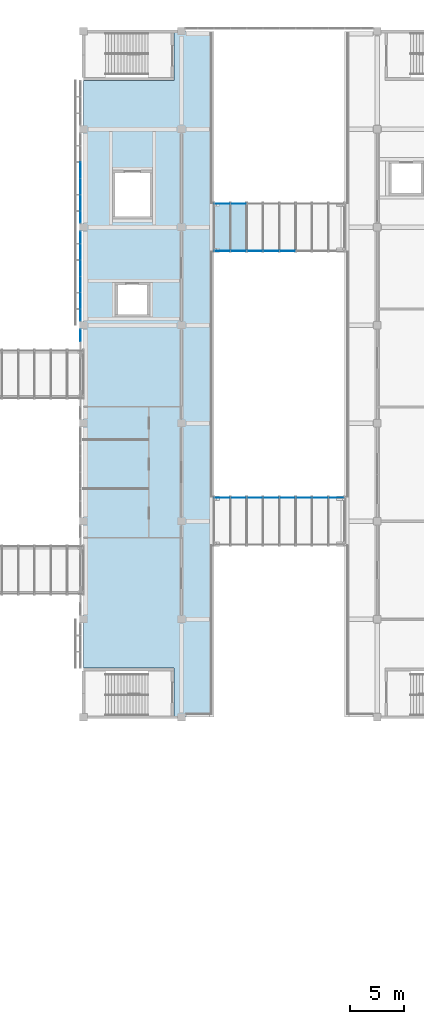
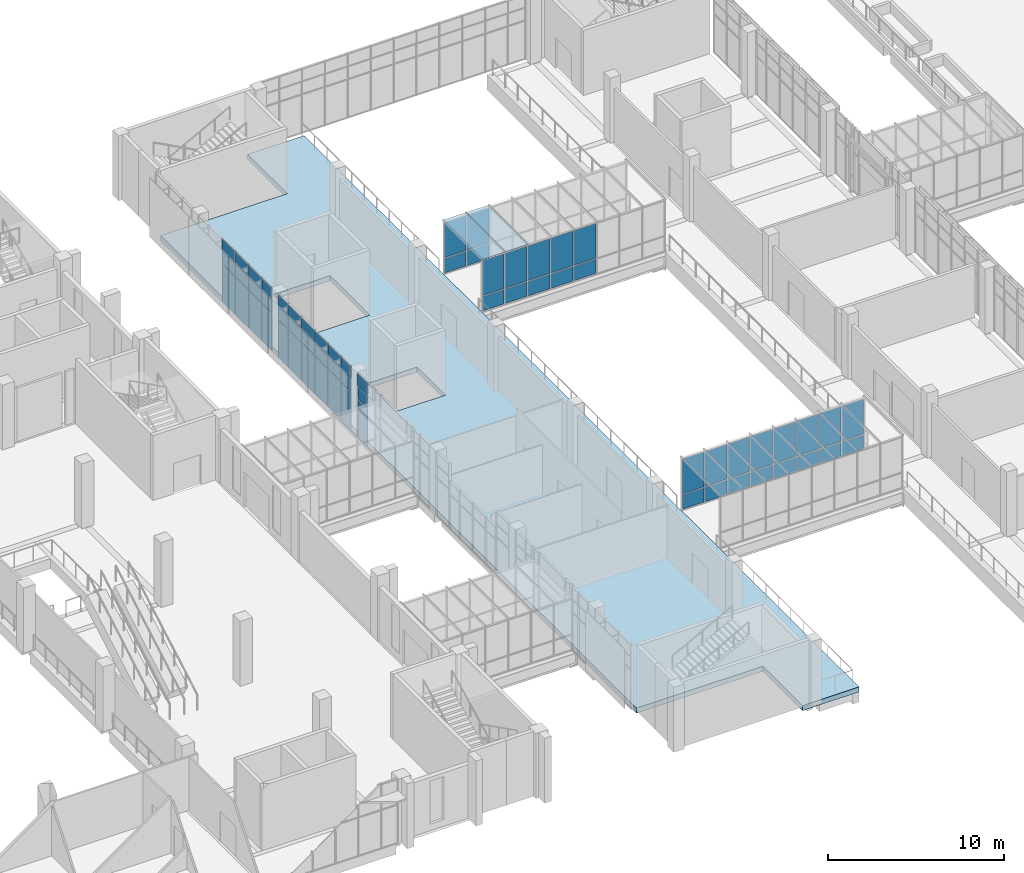
# One storey, part 57 of 106: 65 plates, 1 slab, 7 elements without a shape of their own.
"""IFC4 building model written with IfcOpenShell, lengths in metres."""

import ifcopenshell
import ifcopenshell.guid

model = None  # the IFC model being written
_history = None  # IfcOwnerHistory: only IFC2X3 demands one
_inside = {}  # id of a spatial element -> (the spatial element, [elements in it])
_under = {}  # id of a project, library or spatial element -> (it, [spatial elements below it])
_declared = {}  # id of a project -> (the project, [libraries it declares])
_typed = {}  # id of a type object -> (the type object, [elements of that type])
_made_of = {}  # id of a material, layer set ... -> (it, [elements and type objects made of it])


def new_model(schema):
    """Start an empty IFC model of exactly this schema.

    Asked for "IFC4X3", IfcOpenShell would pick the latest addendum, in which some entities
    have other attributes; the version numbers below select the first issue.
    IFC2X3 requires an IfcOwnerHistory on every rooted entity: one is made here for all.
    """
    global model, _history
    if schema == "IFC4X3":
        model = ifcopenshell.file(schema_version=(4, 3, 0, 0))
    else:
        model = ifcopenshell.file(schema=schema)
    _inside.clear()
    _under.clear()
    _declared.clear()
    _typed.clear()
    _made_of.clear()
    _history = None
    if model.schema == "IFC2X3":
        org = make("IfcOrganization", Name="unknown")
        user = make(
            "IfcPersonAndOrganization",
            ThePerson=make("IfcPerson", FamilyName="unknown"),
            TheOrganization=org,
        )
        app = make(
            "IfcApplication",
            ApplicationDeveloper=org,
            Version="unknown",
            ApplicationFullName="unknown",
            ApplicationIdentifier="unknown",
        )
        _history = make(
            "IfcOwnerHistory",
            OwningUser=user,
            OwningApplication=app,
            ChangeAction="ADDED",
            CreationDate=0,
        )
    return model


def make(cls, **values):
    """One entity of the class cls with the attributes given. An attribute that is None is left unset."""
    return model.create_entity(
        cls, **{name: value for name, value in values.items() if value is not None}
    )


def rooted(cls, **values):
    """An entity with a GlobalId (a new one), such as an element, a storey or a relation."""
    return make(cls, GlobalId=ifcopenshell.guid.new(), OwnerHistory=_history, **values)


def si_unit(unit_type, name, prefix=None):
    """IfcSIUnit, for example si_unit("LENGTHUNIT", "METRE", prefix="MILLI")."""
    return make("IfcSIUnit", UnitType=unit_type, Prefix=prefix, Name=name)


def assignment(units):
    """IfcUnitAssignment: the units of a project."""
    return None if units is None else make("IfcUnitAssignment", Units=units)


def point(xyz):
    """IfcCartesianPoint."""
    return None if xyz is None else make("IfcCartesianPoint", Coordinates=xyz)


def direction(xyz):
    """IfcDirection."""
    return None if xyz is None else make("IfcDirection", DirectionRatios=xyz)


def frame(location, z_axis=None, x_axis=None):
    """IfcAxis2Placement3D, a coordinate frame: its origin and axes. An axis left out is left unset."""
    return make(
        "IfcAxis2Placement3D",
        Location=point(location),
        Axis=direction(z_axis),
        RefDirection=direction(x_axis),
    )


def frame_2d(location, x_axis=None):
    """IfcAxis2Placement2D, a coordinate frame in the plane: its origin and x axis."""
    return make(
        "IfcAxis2Placement2D", Location=point(location), RefDirection=direction(x_axis)
    )


def origin():
    """The frame at (0, 0, 0) with its axes left unset."""
    return frame((0.0, 0.0, 0.0))


def origin_2d():
    """The frame at (0, 0) in the plane with its x axis left unset."""
    return frame_2d((0.0, 0.0))


def place(relative_to, where):
    """IfcLocalPlacement: puts the frame where relative to a parent placement (None: the world)."""
    return make(
        "IfcLocalPlacement", PlacementRelTo=relative_to, RelativePlacement=where
    )


def context(
    kind, dimensions, precision=None, world=None, true_north=None, identifier=None
):
    """IfcGeometricRepresentationContext, for example the 3D "Model" context."""
    return make(
        "IfcGeometricRepresentationContext",
        ContextIdentifier=identifier,
        ContextType=kind,
        CoordinateSpaceDimension=dimensions,
        Precision=precision,
        WorldCoordinateSystem=world,
        TrueNorth=true_north,
    )


def subcontext(parent, identifier, kind, view, scale=None):
    """IfcGeometricRepresentationSubContext, for example "Body" below "Model"."""
    return make(
        "IfcGeometricRepresentationSubContext",
        ContextIdentifier=identifier,
        ContextType=kind,
        ParentContext=parent,
        TargetScale=scale,
        TargetView=view,
    )


def project(units=None, contexts=None):
    """IfcProject with its units and contexts."""
    return rooted(
        "IfcProject",
        Name="project",
        RepresentationContexts=contexts,
        UnitsInContext=assignment(units),
    )


def spatial(cls, under=None, at=None, **own):
    """A site, building, storey or space (cls), placed at a placement, below another one or the project."""
    s = rooted(cls, ObjectPlacement=at, **own)
    if under is not None:
        _under.setdefault(under.id(), (under, []))[1].append(s)
    return s


def polyline(points):
    """IfcPolyline through the points."""
    return make("IfcPolyline", Points=[point(p) for p in points])


def profile(cls, at=None, kind="AREA", **sizes):
    """A parametric profile (cls). Its sizes go by their IFC names, for example OverallWidth=200.0."""
    return make(cls, ProfileType=kind, Position=at, **sizes)


def rectangle(**sizes):
    """IfcRectangleProfileDef."""
    return profile("IfcRectangleProfileDef", **sizes)


def outline(outer, holes=None, kind="AREA"):
    """IfcArbitraryClosedProfileDef: a profile drawn as a closed curve; with holes, ...WithVoids."""
    if holes is None:
        return make("IfcArbitraryClosedProfileDef", ProfileType=kind, OuterCurve=outer)
    return make(
        "IfcArbitraryProfileDefWithVoids",
        ProfileType=kind,
        OuterCurve=outer,
        InnerCurves=holes,
    )


def extrude(swept, where, along, depth):
    """IfcExtrudedAreaSolid: the profile swept, set in the frame where, extruded along a direction by depth."""
    return make(
        "IfcExtrudedAreaSolid",
        SweptArea=swept,
        Position=where,
        ExtrudedDirection=direction(along),
        Depth=depth,
    )


def shape(context_of_items, identifier, shape_type, items):
    """IfcShapeRepresentation: the items that make up one representation, for example the "Body"."""
    return make(
        "IfcShapeRepresentation",
        ContextOfItems=context_of_items,
        RepresentationIdentifier=identifier,
        RepresentationType=shape_type,
        Items=items,
    )


def material(Name=None, Category=None):
    """IfcMaterial."""
    return make("IfcMaterial", Name=Name, Category=Category)


def layer(
    of_material, thickness, ventilated=None, Name=None, Category=None, Priority=None
):
    """IfcMaterialLayer: one layer of a wall or slab, of a material (None: an air gap)."""
    return make(
        "IfcMaterialLayer",
        Material=of_material,
        LayerThickness=thickness,
        IsVentilated=ventilated,
        Name=Name,
        Category=Category,
        Priority=Priority,
    )


def layer_set(layers, Name=None):
    """IfcMaterialLayerSet."""
    return make("IfcMaterialLayerSet", MaterialLayers=layers, LayerSetName=Name)


def made_of(thing, what):
    """Note that an element or type object is made of a material, layer set ...; save() writes the relation."""
    if what is not None:
        _made_of.setdefault(what.id(), (what, []))[1].append(thing)
    return thing


def type_object(cls, material=None, **own):
    """A type object (cls), such as IfcWallType, which elements share."""
    return made_of(rooted(cls, **own), material)


def element(
    cls,
    number,
    at=None,
    inside=None,
    cuts=None,
    type_object=None,
    material=None,
    context=None,
    identifier="Body",
    shape_type=None,
    held_by="IfcProductDefinitionShape",
    body=None,
    shapes=None,
    **own,
):
    """One element of the class cls, such as IfcWall. Its Tag is "e" and its number.

    at: its placement. inside: the storey or other place that contains it. cuts: it is an
    opening in that element (IfcRelVoidsElement). A single representation is given by context,
    identifier, shape_type and body (its items); several are given by shapes. held_by: the class
    of the entity that holds the representations. save() writes the other relations.
    """
    e = rooted(cls, Tag="e%d" % number, ObjectPlacement=at, **own)
    if body is not None:
        shapes = [shape(context, identifier, shape_type, body)]
    if shapes is not None:
        e.Representation = make(held_by, Representations=shapes)
    if inside is not None:
        _inside.setdefault(inside.id(), (inside, []))[1].append(e)
    if cuts is not None:
        rooted(
            "IfcRelVoidsElement", RelatingBuildingElement=cuts, RelatedOpeningElement=e
        )
    if type_object is not None:
        _typed.setdefault(type_object.id(), (type_object, []))[1].append(e)
    return made_of(e, material)


def aggregate(whole, parts):
    """IfcRelAggregates: a whole, such as a stair, and the parts it consists of."""
    return rooted("IfcRelAggregates", RelatingObject=whole, RelatedObjects=parts)


def save(model, path):
    """Write the relations noted so far, then the file.

    IfcRelAggregates (storeys below a building ...), IfcRelContainedInSpatialStructure (elements
    in a storey), IfcRelDefinesByType, IfcRelAssociatesMaterial and IfcRelDeclares: one each for
    every whole, place, type object, material and project.
    """
    for whole, parts in _under.values():
        aggregate(whole, parts)
    for where, things in _inside.values():
        rooted(
            "IfcRelContainedInSpatialStructure",
            RelatedElements=things,
            RelatingStructure=where,
        )
    for kind, things in _typed.values():
        rooted("IfcRelDefinesByType", RelatedObjects=things, RelatingType=kind)
    for what, things in _made_of.values():
        rooted("IfcRelAssociatesMaterial", RelatedObjects=things, RelatingMaterial=what)
    for by, libraries in _declared.values():
        rooted("IfcRelDeclares", RelatingContext=by, RelatedDefinitions=libraries)
    model.write(path)


model = new_model("IFC4")

# Units and contexts
model_context = context("Model", 3, precision=1e-05, world=origin(), true_north=direction((0.0, 1.0)))
body_context = subcontext(model_context, "Body", "Model", "MODEL_VIEW")
ifc_project = project(units=[si_unit("LENGTHUNIT", "METRE"), si_unit("AREAUNIT", "SQUARE_METRE"), si_unit("VOLUMEUNIT", "CUBIC_METRE"), si_unit("PLANEANGLEUNIT", "RADIAN"), si_unit("MASSUNIT", "GRAM", prefix="KILO")], contexts=[model_context])

# Site, building, storey
site_placement = place(None, origin())
site = spatial("IfcSite", under=ifc_project, at=site_placement, CompositionType="ELEMENT")
building_placement = place(site_placement, origin())
building = spatial("IfcBuilding", under=site, at=building_placement, Name="Guidao Yard Department Store", CompositionType="ELEMENT")
storey_placement = place(building_placement, frame((0.0, 0.0, 10.5)))
storey = spatial("IfcBuildingStorey", under=building, at=storey_placement, Name="L02", CompositionType="ELEMENT", Elevation=10.5)

# Curtain wall, plates
ifc_material_1 = material(Name="Aluminium and glass", Category="aluminium")
ifc_layer_1 = layer(ifc_material_1, 0.159912109375)
ifc_layer_set_1 = layer_set([ifc_layer_1], Name="Bridge glazing CW5 1500 module")
curtain_wall_type_1 = type_object("IfcCurtainWallType", Name="Bridge glazing CW5 1500 module", PredefinedType="NOTDEFINED", material=ifc_layer_set_1)
curtain_wall_1_placement = place(storey_placement, origin())
curtain_wall_1 = element("IfcCurtainWall", 1, at=curtain_wall_1_placement, inside=storey, type_object=curtain_wall_type_1, Name="Bridge roof glazing BR12", PredefinedType="NOTDEFINED")
ifc_material_2 = material(Name="Laminated glass", Category="glass")
ifc_layer_2 = layer(ifc_material_2, 0.017578125)
ifc_layer_set_2 = layer_set([ifc_layer_2], Name="Bridge roof glass BG1 laminated 8+8 fritted")
plate_type_1 = type_object("IfcPlateType", Name="Bridge roof glass BG1 laminated 8+8 fritted", PredefinedType="CURTAIN_PANEL", material=ifc_layer_set_2)
plate_1_placement = place(storey_placement, frame((84.75, 90.0, 3.671142578125), z_axis=(0.0, 0.0, 1.0), x_axis=(1.0, 0.0, 0.0)))
plate_1 = element("IfcPlate", 2, at=plate_1_placement, type_object=plate_type_1, Name="Bridge roof glass BR12", PredefinedType="CURTAIN_PANEL", context=body_context, shape_type="SweptSolid", body=[
    extrude(rectangle(XDim=1.43994140625, YDim=4.5, at=origin_2d()), origin(), (0.0, 0.0, 1.0), 0.017578125),
])
plate_2_placement = place(storey_placement, frame((86.25, 90.0, 3.671142578125), z_axis=(0.0, 0.0, 1.0), x_axis=(1.0, 0.0, 0.0)))
plate_2 = element("IfcPlate", 3, at=plate_2_placement, type_object=plate_type_1, Name="Bridge roof glass BR12", PredefinedType="CURTAIN_PANEL", context=body_context, shape_type="SweptSolid", body=[
    extrude(rectangle(XDim=1.43994140625, YDim=4.5, at=origin_2d()), origin(), (0.0, 0.0, 1.0), 0.017578125),
])
aggregate(curtain_wall_1, [plate_1, plate_2])

# Slab
ifc_material_3 = material(Name="Concrete C35", Category="concrete")
ifc_layer_3 = layer(ifc_material_3, 0.35009765625)
ifc_layer_set_3 = layer_set([ifc_layer_3], Name="Gallery floor slab 350 C35")
slab_type = type_object("IfcSlabType", Name="Gallery floor slab 350 C35", PredefinedType="FLOOR", material=ifc_layer_set_3)
slab_placement = place(storey_placement, frame((0.0, 0.0, -0.35009765625)))
element("IfcSlab", 4, at=slab_placement, inside=storey, type_object=slab_type, Name="Slab L02-W", PredefinedType="FLOOR", context=body_context, shape_type="SweptSolid", body=[
    extrude(outline(polyline([(80.300048828125, 103.5), (80.300048828125, 108.0), (81.0, 108.0), (84.0, 108.0), (84.0, 92.25), (84.0, 87.75), (84.0, 65.25), (84.0, 60.75), (84.0, 45.0), (81.0, 45.0), (80.300048828125, 45.0), (80.300048828125, 49.5), (72.0, 49.5), (72.0, 103.5), (80.300048828125, 103.5)]), holes=[polyline([(78.10009765625, 81.75), (78.10009765625, 84.949951171875), (74.89990234375, 84.949951171875), (74.89990234375, 81.75), (78.10009765625, 81.75)]), polyline([(74.64990234375, 90.75), (78.35009765625, 90.75), (78.35009765625, 95.25), (74.64990234375, 95.25), (74.64990234375, 90.75)])]), origin(), (0.0, 0.0, 1.0), 0.35009765625),
])

# Curtain wall, plate
ifc_material_4 = material(Name="Aluminium and glass", Category="aluminium")
ifc_layer_4 = layer(ifc_material_4, 0.159912109375)
ifc_layer_set_4 = layer_set([ifc_layer_4], Name="Shopfront curtain wall CW1 1500 module")
curtain_wall_type_2 = type_object("IfcCurtainWallType", Name="Shopfront curtain wall CW1 1500 module", PredefinedType="NOTDEFINED", material=ifc_layer_set_4)
curtain_wall_2_placement = place(storey_placement, origin())
curtain_wall_2 = element("IfcCurtainWall", 5, at=curtain_wall_2_placement, inside=storey, type_object=curtain_wall_type_2, Name="Arcade shop front", PredefinedType="NOTDEFINED")
ifc_material_5 = material(Name="Aluminium 6063-T5 faced insulated spandrel", Category="aluminium")
ifc_layer_5 = layer(ifc_material_5, 0.06005859375)
ifc_layer_set_5 = layer_set([ifc_layer_5], Name="Spandrel panel SP1 insulated opaque")
plate_type_2 = type_object("IfcPlateType", Name="Spandrel panel SP1 insulated opaque", PredefinedType="CURTAIN_PANEL", material=ifc_layer_set_5)
plate_3_placement = place(storey_placement, frame((71.719970703125, 80.06005859375, 3.6298828125), z_axis=(0.0, 0.0, 1.0), x_axis=(0.0, 1.0, 0.0)))
plate_3 = element("IfcPlate", 6, at=plate_3_placement, type_object=plate_type_2, Name="CW-AS-L02-10 panel 2.3", PredefinedType="CURTAIN_PANEL", context=body_context, shape_type="SweptSolid", body=[
    extrude(rectangle(XDim=1.06005859375, YDim=0.06005859375, at=origin_2d()), origin(), (0.0, 0.0, 1.0), 0.81005859375),
])

# Curtain wall, plates
curtain_wall_3_placement = place(storey_placement, origin())
curtain_wall_3 = element("IfcCurtainWall", 7, at=curtain_wall_3_placement, inside=storey, type_object=curtain_wall_type_2, Name="Arcade shop front", PredefinedType="NOTDEFINED")
plate_4_placement = place(storey_placement, frame((71.719970703125, 81.93994140625, 3.6298828125), z_axis=(0.0, 0.0, 1.0), x_axis=(0.0, 1.0, 0.0)))
plate_4 = element("IfcPlate", 8, at=plate_4_placement, type_object=plate_type_2, Name="CW-AS-L02-11 panel 1.3", PredefinedType="CURTAIN_PANEL", context=body_context, shape_type="SweptSolid", body=[
    extrude(rectangle(XDim=1.06005859375, YDim=0.06005859375, at=origin_2d()), origin(), (0.0, 0.0, 1.0), 0.81005859375),
])
plate_5_placement = place(storey_placement, frame((71.719970703125, 83.25, 3.6298828125), z_axis=(0.0, 0.0, 1.0), x_axis=(0.0, 1.0, 0.0)))
plate_5 = element("IfcPlate", 9, at=plate_5_placement, type_object=plate_type_2, Name="CW-AS-L02-11 panel 2.3", PredefinedType="CURTAIN_PANEL", context=body_context, shape_type="SweptSolid", body=[
    extrude(rectangle(XDim=1.43994140625, YDim=0.06005859375, at=origin_2d()), origin(), (0.0, 0.0, 1.0), 0.81005859375),
])
plate_6_placement = place(storey_placement, frame((71.719970703125, 84.75, 3.6298828125), z_axis=(0.0, 0.0, 1.0), x_axis=(0.0, 1.0, 0.0)))
plate_6 = element("IfcPlate", 10, at=plate_6_placement, type_object=plate_type_2, Name="CW-AS-L02-11 panel 3.3", PredefinedType="CURTAIN_PANEL", context=body_context, shape_type="SweptSolid", body=[
    extrude(rectangle(XDim=1.43994140625, YDim=0.06005859375, at=origin_2d()), origin(), (0.0, 0.0, 1.0), 0.81005859375),
])
plate_7_placement = place(storey_placement, frame((71.719970703125, 86.25, 3.6298828125), z_axis=(0.0, 0.0, 1.0), x_axis=(0.0, 1.0, 0.0)))
plate_7 = element("IfcPlate", 11, at=plate_7_placement, type_object=plate_type_2, Name="CW-AS-L02-11 panel 4.3", PredefinedType="CURTAIN_PANEL", context=body_context, shape_type="SweptSolid", body=[
    extrude(rectangle(XDim=1.43994140625, YDim=0.06005859375, at=origin_2d()), origin(), (0.0, 0.0, 1.0), 0.81005859375),
])
plate_8_placement = place(storey_placement, frame((71.719970703125, 87.75, 3.6298828125), z_axis=(0.0, 0.0, 1.0), x_axis=(0.0, 1.0, 0.0)))
plate_8 = element("IfcPlate", 12, at=plate_8_placement, type_object=plate_type_2, Name="CW-AS-L02-11 panel 5.3", PredefinedType="CURTAIN_PANEL", context=body_context, shape_type="SweptSolid", body=[
    extrude(rectangle(XDim=1.43994140625, YDim=0.06005859375, at=origin_2d()), origin(), (0.0, 0.0, 1.0), 0.81005859375),
])
plate_9_placement = place(storey_placement, frame((71.719970703125, 89.06005859375, 3.6298828125), z_axis=(0.0, 0.0, 1.0), x_axis=(0.0, 1.0, 0.0)))
plate_9 = element("IfcPlate", 13, at=plate_9_placement, type_object=plate_type_2, Name="CW-AS-L02-11 panel 6.3", PredefinedType="CURTAIN_PANEL", context=body_context, shape_type="SweptSolid", body=[
    extrude(rectangle(XDim=1.06005859375, YDim=0.06005859375, at=origin_2d()), origin(), (0.0, 0.0, 1.0), 0.81005859375),
])

curtain_wall_4_placement = place(storey_placement, origin())
curtain_wall_4 = element("IfcCurtainWall", 14, at=curtain_wall_4_placement, inside=storey, type_object=curtain_wall_type_2, Name="Arcade shop front", PredefinedType="NOTDEFINED")
plate_10_placement = place(storey_placement, frame((71.719970703125, 90.93994140625, 3.6298828125), z_axis=(0.0, 0.0, 1.0), x_axis=(0.0, 1.0, 0.0)))
plate_10 = element("IfcPlate", 15, at=plate_10_placement, type_object=plate_type_2, Name="CW-AS-L02-12 panel 1.3", PredefinedType="CURTAIN_PANEL", context=body_context, shape_type="SweptSolid", body=[
    extrude(rectangle(XDim=1.06005859375, YDim=0.06005859375, at=origin_2d()), origin(), (0.0, 0.0, 1.0), 0.81005859375),
])
plate_11_placement = place(storey_placement, frame((71.719970703125, 92.25, 3.6298828125), z_axis=(0.0, 0.0, 1.0), x_axis=(0.0, 1.0, 0.0)))
plate_11 = element("IfcPlate", 16, at=plate_11_placement, type_object=plate_type_2, Name="CW-AS-L02-12 panel 2.3", PredefinedType="CURTAIN_PANEL", context=body_context, shape_type="SweptSolid", body=[
    extrude(rectangle(XDim=1.43994140625, YDim=0.06005859375, at=origin_2d()), origin(), (0.0, 0.0, 1.0), 0.81005859375),
])
plate_12_placement = place(storey_placement, frame((71.719970703125, 93.75, 3.6298828125), z_axis=(0.0, 0.0, 1.0), x_axis=(0.0, 1.0, 0.0)))
plate_12 = element("IfcPlate", 17, at=plate_12_placement, type_object=plate_type_2, Name="CW-AS-L02-12 panel 3.3", PredefinedType="CURTAIN_PANEL", context=body_context, shape_type="SweptSolid", body=[
    extrude(rectangle(XDim=1.43994140625, YDim=0.06005859375, at=origin_2d()), origin(), (0.0, 0.0, 1.0), 0.81005859375),
])
plate_13_placement = place(storey_placement, frame((71.719970703125, 95.25, 3.6298828125), z_axis=(0.0, 0.0, 1.0), x_axis=(0.0, 1.0, 0.0)))
plate_13 = element("IfcPlate", 18, at=plate_13_placement, type_object=plate_type_2, Name="CW-AS-L02-12 panel 4.3", PredefinedType="CURTAIN_PANEL", context=body_context, shape_type="SweptSolid", body=[
    extrude(rectangle(XDim=1.43994140625, YDim=0.06005859375, at=origin_2d()), origin(), (0.0, 0.0, 1.0), 0.81005859375),
])

# Plate
ifc_material_6 = material(Name="Laminated heat-soaked tempered glass", Category="glass")
ifc_layer_6 = layer(ifc_material_6, 0.017578125)
ifc_layer_set_6 = layer_set([ifc_layer_6], Name="Vision glass VG1 laminated heat-soaked tempered 8+8")
plate_type_3 = type_object("IfcPlateType", Name="Vision glass VG1 laminated heat-soaked tempered 8+8", PredefinedType="CURTAIN_PANEL", material=ifc_layer_set_6)
plate_14_placement = place(storey_placement, frame((71.719970703125, 80.06005859375, 0.06005859375), z_axis=(0.0, 0.0, 1.0), x_axis=(0.0, 1.0, 0.0)))
plate_14 = element("IfcPlate", 19, at=plate_14_placement, type_object=plate_type_3, Name="CW-AS-L02-10 panel 2.1", PredefinedType="CURTAIN_PANEL", context=body_context, shape_type="SweptSolid", body=[
    extrude(rectangle(XDim=1.06005859375, YDim=0.017578125, at=origin_2d()), origin(), (0.0, 0.0, 1.0), 2.610107421875),
])

plate_15_placement = place(storey_placement, frame((71.719970703125, 80.06005859375, 2.72998046875), z_axis=(0.0, 0.0, 1.0), x_axis=(0.0, 1.0, 0.0)))
plate_15 = element("IfcPlate", 20, at=plate_15_placement, type_object=plate_type_3, Name="CW-AS-L02-10 panel 2.2", PredefinedType="CURTAIN_PANEL", context=body_context, shape_type="SweptSolid", body=[
    extrude(rectangle(XDim=1.06005859375, YDim=0.017578125, at=origin_2d()), origin(), (0.0, 0.0, 1.0), 0.840087890625),
])

aggregate(curtain_wall_2, [plate_14, plate_15, plate_3])

plate_16_placement = place(storey_placement, frame((71.719970703125, 81.93994140625, 0.06005859375), z_axis=(0.0, 0.0, 1.0), x_axis=(0.0, 1.0, 0.0)))
plate_16 = element("IfcPlate", 21, at=plate_16_placement, type_object=plate_type_3, Name="CW-AS-L02-11 panel 1.1", PredefinedType="CURTAIN_PANEL", context=body_context, shape_type="SweptSolid", body=[
    extrude(rectangle(XDim=1.06005859375, YDim=0.017578125, at=origin_2d()), origin(), (0.0, 0.0, 1.0), 2.610107421875),
])

plate_17_placement = place(storey_placement, frame((71.719970703125, 81.93994140625, 2.72998046875), z_axis=(0.0, 0.0, 1.0), x_axis=(0.0, 1.0, 0.0)))
plate_17 = element("IfcPlate", 22, at=plate_17_placement, type_object=plate_type_3, Name="CW-AS-L02-11 panel 1.2", PredefinedType="CURTAIN_PANEL", context=body_context, shape_type="SweptSolid", body=[
    extrude(rectangle(XDim=1.06005859375, YDim=0.017578125, at=origin_2d()), origin(), (0.0, 0.0, 1.0), 0.840087890625),
])

plate_18_placement = place(storey_placement, frame((71.719970703125, 83.25, 0.06005859375), z_axis=(0.0, 0.0, 1.0), x_axis=(0.0, 1.0, 0.0)))
plate_18 = element("IfcPlate", 23, at=plate_18_placement, type_object=plate_type_3, Name="CW-AS-L02-11 panel 2.1", PredefinedType="CURTAIN_PANEL", context=body_context, shape_type="SweptSolid", body=[
    extrude(rectangle(XDim=1.43994140625, YDim=0.017578125, at=origin_2d()), origin(), (0.0, 0.0, 1.0), 2.610107421875),
])

plate_19_placement = place(storey_placement, frame((71.719970703125, 83.25, 2.72998046875), z_axis=(0.0, 0.0, 1.0), x_axis=(0.0, 1.0, 0.0)))
plate_19 = element("IfcPlate", 24, at=plate_19_placement, type_object=plate_type_3, Name="CW-AS-L02-11 panel 2.2", PredefinedType="CURTAIN_PANEL", context=body_context, shape_type="SweptSolid", body=[
    extrude(rectangle(XDim=1.43994140625, YDim=0.017578125, at=origin_2d()), origin(), (0.0, 0.0, 1.0), 0.840087890625),
])

plate_20_placement = place(storey_placement, frame((71.719970703125, 84.75, 0.06005859375), z_axis=(0.0, 0.0, 1.0), x_axis=(0.0, 1.0, 0.0)))
plate_20 = element("IfcPlate", 25, at=plate_20_placement, type_object=plate_type_3, Name="CW-AS-L02-11 panel 3.1", PredefinedType="CURTAIN_PANEL", context=body_context, shape_type="SweptSolid", body=[
    extrude(rectangle(XDim=1.43994140625, YDim=0.017578125, at=origin_2d()), origin(), (0.0, 0.0, 1.0), 2.610107421875),
])

plate_21_placement = place(storey_placement, frame((71.719970703125, 84.75, 2.72998046875), z_axis=(0.0, 0.0, 1.0), x_axis=(0.0, 1.0, 0.0)))
plate_21 = element("IfcPlate", 26, at=plate_21_placement, type_object=plate_type_3, Name="CW-AS-L02-11 panel 3.2", PredefinedType="CURTAIN_PANEL", context=body_context, shape_type="SweptSolid", body=[
    extrude(rectangle(XDim=1.43994140625, YDim=0.017578125, at=origin_2d()), origin(), (0.0, 0.0, 1.0), 0.840087890625),
])

plate_22_placement = place(storey_placement, frame((71.719970703125, 86.25, 0.06005859375), z_axis=(0.0, 0.0, 1.0), x_axis=(0.0, 1.0, 0.0)))
plate_22 = element("IfcPlate", 27, at=plate_22_placement, type_object=plate_type_3, Name="CW-AS-L02-11 panel 4.1", PredefinedType="CURTAIN_PANEL", context=body_context, shape_type="SweptSolid", body=[
    extrude(rectangle(XDim=1.43994140625, YDim=0.017578125, at=origin_2d()), origin(), (0.0, 0.0, 1.0), 2.610107421875),
])

plate_23_placement = place(storey_placement, frame((71.719970703125, 86.25, 2.72998046875), z_axis=(0.0, 0.0, 1.0), x_axis=(0.0, 1.0, 0.0)))
plate_23 = element("IfcPlate", 28, at=plate_23_placement, type_object=plate_type_3, Name="CW-AS-L02-11 panel 4.2", PredefinedType="CURTAIN_PANEL", context=body_context, shape_type="SweptSolid", body=[
    extrude(rectangle(XDim=1.43994140625, YDim=0.017578125, at=origin_2d()), origin(), (0.0, 0.0, 1.0), 0.840087890625),
])

plate_24_placement = place(storey_placement, frame((71.719970703125, 87.75, 0.06005859375), z_axis=(0.0, 0.0, 1.0), x_axis=(0.0, 1.0, 0.0)))
plate_24 = element("IfcPlate", 29, at=plate_24_placement, type_object=plate_type_3, Name="CW-AS-L02-11 panel 5.1", PredefinedType="CURTAIN_PANEL", context=body_context, shape_type="SweptSolid", body=[
    extrude(rectangle(XDim=1.43994140625, YDim=0.017578125, at=origin_2d()), origin(), (0.0, 0.0, 1.0), 2.610107421875),
])

plate_25_placement = place(storey_placement, frame((71.719970703125, 87.75, 2.72998046875), z_axis=(0.0, 0.0, 1.0), x_axis=(0.0, 1.0, 0.0)))
plate_25 = element("IfcPlate", 30, at=plate_25_placement, type_object=plate_type_3, Name="CW-AS-L02-11 panel 5.2", PredefinedType="CURTAIN_PANEL", context=body_context, shape_type="SweptSolid", body=[
    extrude(rectangle(XDim=1.43994140625, YDim=0.017578125, at=origin_2d()), origin(), (0.0, 0.0, 1.0), 0.840087890625),
])

plate_26_placement = place(storey_placement, frame((71.719970703125, 89.06005859375, 0.06005859375), z_axis=(0.0, 0.0, 1.0), x_axis=(0.0, 1.0, 0.0)))
plate_26 = element("IfcPlate", 31, at=plate_26_placement, type_object=plate_type_3, Name="CW-AS-L02-11 panel 6.1", PredefinedType="CURTAIN_PANEL", context=body_context, shape_type="SweptSolid", body=[
    extrude(rectangle(XDim=1.06005859375, YDim=0.017578125, at=origin_2d()), origin(), (0.0, 0.0, 1.0), 2.610107421875),
])

plate_27_placement = place(storey_placement, frame((71.719970703125, 89.06005859375, 2.72998046875), z_axis=(0.0, 0.0, 1.0), x_axis=(0.0, 1.0, 0.0)))
plate_27 = element("IfcPlate", 32, at=plate_27_placement, type_object=plate_type_3, Name="CW-AS-L02-11 panel 6.2", PredefinedType="CURTAIN_PANEL", context=body_context, shape_type="SweptSolid", body=[
    extrude(rectangle(XDim=1.06005859375, YDim=0.017578125, at=origin_2d()), origin(), (0.0, 0.0, 1.0), 0.840087890625),
])

aggregate(curtain_wall_3, [plate_16, plate_17, plate_4, plate_18, plate_19, plate_5, plate_20, plate_21, plate_6, plate_22, plate_23, plate_7, plate_24, plate_25, plate_8, plate_26, plate_27, plate_9])

plate_28_placement = place(storey_placement, frame((71.719970703125, 90.93994140625, 0.06005859375), z_axis=(0.0, 0.0, 1.0), x_axis=(0.0, 1.0, 0.0)))
plate_28 = element("IfcPlate", 33, at=plate_28_placement, type_object=plate_type_3, Name="CW-AS-L02-12 panel 1.1", PredefinedType="CURTAIN_PANEL", context=body_context, shape_type="SweptSolid", body=[
    extrude(rectangle(XDim=1.06005859375, YDim=0.017578125, at=origin_2d()), origin(), (0.0, 0.0, 1.0), 2.610107421875),
])

plate_29_placement = place(storey_placement, frame((71.719970703125, 90.93994140625, 2.72998046875), z_axis=(0.0, 0.0, 1.0), x_axis=(0.0, 1.0, 0.0)))
plate_29 = element("IfcPlate", 34, at=plate_29_placement, type_object=plate_type_3, Name="CW-AS-L02-12 panel 1.2", PredefinedType="CURTAIN_PANEL", context=body_context, shape_type="SweptSolid", body=[
    extrude(rectangle(XDim=1.06005859375, YDim=0.017578125, at=origin_2d()), origin(), (0.0, 0.0, 1.0), 0.840087890625),
])

plate_30_placement = place(storey_placement, frame((71.719970703125, 92.25, 0.06005859375), z_axis=(0.0, 0.0, 1.0), x_axis=(0.0, 1.0, 0.0)))
plate_30 = element("IfcPlate", 35, at=plate_30_placement, type_object=plate_type_3, Name="CW-AS-L02-12 panel 2.1", PredefinedType="CURTAIN_PANEL", context=body_context, shape_type="SweptSolid", body=[
    extrude(rectangle(XDim=1.43994140625, YDim=0.017578125, at=origin_2d()), origin(), (0.0, 0.0, 1.0), 2.610107421875),
])

plate_31_placement = place(storey_placement, frame((71.719970703125, 92.25, 2.72998046875), z_axis=(0.0, 0.0, 1.0), x_axis=(0.0, 1.0, 0.0)))
plate_31 = element("IfcPlate", 36, at=plate_31_placement, type_object=plate_type_3, Name="CW-AS-L02-12 panel 2.2", PredefinedType="CURTAIN_PANEL", context=body_context, shape_type="SweptSolid", body=[
    extrude(rectangle(XDim=1.43994140625, YDim=0.017578125, at=origin_2d()), origin(), (0.0, 0.0, 1.0), 0.840087890625),
])

plate_32_placement = place(storey_placement, frame((71.719970703125, 93.75, 0.06005859375), z_axis=(0.0, 0.0, 1.0), x_axis=(0.0, 1.0, 0.0)))
plate_32 = element("IfcPlate", 37, at=plate_32_placement, type_object=plate_type_3, Name="CW-AS-L02-12 panel 3.1", PredefinedType="CURTAIN_PANEL", context=body_context, shape_type="SweptSolid", body=[
    extrude(rectangle(XDim=1.43994140625, YDim=0.017578125, at=origin_2d()), origin(), (0.0, 0.0, 1.0), 2.610107421875),
])

plate_33_placement = place(storey_placement, frame((71.719970703125, 93.75, 2.72998046875), z_axis=(0.0, 0.0, 1.0), x_axis=(0.0, 1.0, 0.0)))
plate_33 = element("IfcPlate", 38, at=plate_33_placement, type_object=plate_type_3, Name="CW-AS-L02-12 panel 3.2", PredefinedType="CURTAIN_PANEL", context=body_context, shape_type="SweptSolid", body=[
    extrude(rectangle(XDim=1.43994140625, YDim=0.017578125, at=origin_2d()), origin(), (0.0, 0.0, 1.0), 0.840087890625),
])

plate_34_placement = place(storey_placement, frame((71.719970703125, 95.25, 0.06005859375), z_axis=(0.0, 0.0, 1.0), x_axis=(0.0, 1.0, 0.0)))
plate_34 = element("IfcPlate", 39, at=plate_34_placement, type_object=plate_type_3, Name="CW-AS-L02-12 panel 4.1", PredefinedType="CURTAIN_PANEL", context=body_context, shape_type="SweptSolid", body=[
    extrude(rectangle(XDim=1.43994140625, YDim=0.017578125, at=origin_2d()), origin(), (0.0, 0.0, 1.0), 2.610107421875),
])

plate_35_placement = place(storey_placement, frame((71.719970703125, 95.25, 2.72998046875), z_axis=(0.0, 0.0, 1.0), x_axis=(0.0, 1.0, 0.0)))
plate_35 = element("IfcPlate", 40, at=plate_35_placement, type_object=plate_type_3, Name="CW-AS-L02-12 panel 4.2", PredefinedType="CURTAIN_PANEL", context=body_context, shape_type="SweptSolid", body=[
    extrude(rectangle(XDim=1.43994140625, YDim=0.017578125, at=origin_2d()), origin(), (0.0, 0.0, 1.0), 0.840087890625),
])

aggregate(curtain_wall_4, [plate_28, plate_29, plate_10, plate_30, plate_31, plate_11, plate_32, plate_33, plate_12, plate_34, plate_35, plate_13])

# Curtain wall, plates
curtain_wall_5_placement = place(storey_placement, origin())
curtain_wall_5 = element("IfcCurtainWall", 41, at=curtain_wall_5_placement, inside=storey, type_object=curtain_wall_type_1, Name="Bridge glazing BR11 N", PredefinedType="NOTDEFINED")
plate_36_placement = place(storey_placement, frame((84.764892578125, 65.169921875, 0.06005859375), z_axis=(0.0, 0.0, 1.0), x_axis=(1.0, 0.0, 0.0)))
plate_36 = element("IfcPlate", 42, at=plate_36_placement, type_object=plate_type_3, Name="CW-N-L02-09 panel 1.1", PredefinedType="CURTAIN_PANEL", context=body_context, shape_type="SweptSolid", body=[
    extrude(rectangle(XDim=1.409912109375, YDim=0.017578125, at=origin_2d()), origin(), (0.0, 0.0, 1.0), 1.010009765625),
])
plate_37_placement = place(storey_placement, frame((84.764892578125, 65.169921875, 1.1298828125), z_axis=(0.0, 0.0, 1.0), x_axis=(1.0, 0.0, 0.0)))
plate_37 = element("IfcPlate", 43, at=plate_37_placement, type_object=plate_type_3, Name="CW-N-L02-09 panel 1.2", PredefinedType="CURTAIN_PANEL", context=body_context, shape_type="SweptSolid", body=[
    extrude(rectangle(XDim=1.409912109375, YDim=0.017578125, at=origin_2d()), origin(), (0.0, 0.0, 1.0), 2.409912109375),
])
plate_38_placement = place(storey_placement, frame((86.25, 65.169921875, 0.06005859375), z_axis=(0.0, 0.0, 1.0), x_axis=(1.0, 0.0, 0.0)))
plate_38 = element("IfcPlate", 44, at=plate_38_placement, type_object=plate_type_3, Name="CW-N-L02-09 panel 2.1", PredefinedType="CURTAIN_PANEL", context=body_context, shape_type="SweptSolid", body=[
    extrude(rectangle(XDim=1.43994140625, YDim=0.017578125, at=origin_2d()), origin(), (0.0, 0.0, 1.0), 1.010009765625),
])
plate_39_placement = place(storey_placement, frame((86.25, 65.169921875, 1.1298828125), z_axis=(0.0, 0.0, 1.0), x_axis=(1.0, 0.0, 0.0)))
plate_39 = element("IfcPlate", 45, at=plate_39_placement, type_object=plate_type_3, Name="CW-N-L02-09 panel 2.2", PredefinedType="CURTAIN_PANEL", context=body_context, shape_type="SweptSolid", body=[
    extrude(rectangle(XDim=1.43994140625, YDim=0.017578125, at=origin_2d()), origin(), (0.0, 0.0, 1.0), 2.409912109375),
])
plate_40_placement = place(storey_placement, frame((87.75, 65.169921875, 0.06005859375), z_axis=(0.0, 0.0, 1.0), x_axis=(1.0, 0.0, 0.0)))
plate_40 = element("IfcPlate", 46, at=plate_40_placement, type_object=plate_type_3, Name="CW-N-L02-09 panel 3.1", PredefinedType="CURTAIN_PANEL", context=body_context, shape_type="SweptSolid", body=[
    extrude(rectangle(XDim=1.43994140625, YDim=0.017578125, at=origin_2d()), origin(), (0.0, 0.0, 1.0), 1.010009765625),
])
plate_41_placement = place(storey_placement, frame((87.75, 65.169921875, 1.1298828125), z_axis=(0.0, 0.0, 1.0), x_axis=(1.0, 0.0, 0.0)))
plate_41 = element("IfcPlate", 47, at=plate_41_placement, type_object=plate_type_3, Name="CW-N-L02-09 panel 3.2", PredefinedType="CURTAIN_PANEL", context=body_context, shape_type="SweptSolid", body=[
    extrude(rectangle(XDim=1.43994140625, YDim=0.017578125, at=origin_2d()), origin(), (0.0, 0.0, 1.0), 2.409912109375),
])
plate_42_placement = place(storey_placement, frame((89.25, 65.169921875, 0.06005859375), z_axis=(0.0, 0.0, 1.0), x_axis=(1.0, 0.0, 0.0)))
plate_42 = element("IfcPlate", 48, at=plate_42_placement, type_object=plate_type_3, Name="CW-N-L02-09 panel 4.1", PredefinedType="CURTAIN_PANEL", context=body_context, shape_type="SweptSolid", body=[
    extrude(rectangle(XDim=1.43994140625, YDim=0.017578125, at=origin_2d()), origin(), (0.0, 0.0, 1.0), 1.010009765625),
])
plate_43_placement = place(storey_placement, frame((89.25, 65.169921875, 1.1298828125), z_axis=(0.0, 0.0, 1.0), x_axis=(1.0, 0.0, 0.0)))
plate_43 = element("IfcPlate", 49, at=plate_43_placement, type_object=plate_type_3, Name="CW-N-L02-09 panel 4.2", PredefinedType="CURTAIN_PANEL", context=body_context, shape_type="SweptSolid", body=[
    extrude(rectangle(XDim=1.43994140625, YDim=0.017578125, at=origin_2d()), origin(), (0.0, 0.0, 1.0), 2.409912109375),
])
plate_44_placement = place(storey_placement, frame((90.75, 65.169921875, 0.06005859375), z_axis=(0.0, 0.0, 1.0), x_axis=(1.0, 0.0, 0.0)))
plate_44 = element("IfcPlate", 50, at=plate_44_placement, type_object=plate_type_3, Name="CW-N-L02-09 panel 5.1", PredefinedType="CURTAIN_PANEL", context=body_context, shape_type="SweptSolid", body=[
    extrude(rectangle(XDim=1.43994140625, YDim=0.017578125, at=origin_2d()), origin(), (0.0, 0.0, 1.0), 1.010009765625),
])
plate_45_placement = place(storey_placement, frame((90.75, 65.169921875, 1.1298828125), z_axis=(0.0, 0.0, 1.0), x_axis=(1.0, 0.0, 0.0)))
plate_45 = element("IfcPlate", 51, at=plate_45_placement, type_object=plate_type_3, Name="CW-N-L02-09 panel 5.2", PredefinedType="CURTAIN_PANEL", context=body_context, shape_type="SweptSolid", body=[
    extrude(rectangle(XDim=1.43994140625, YDim=0.017578125, at=origin_2d()), origin(), (0.0, 0.0, 1.0), 2.409912109375),
])
plate_46_placement = place(storey_placement, frame((92.25, 65.169921875, 0.06005859375), z_axis=(0.0, 0.0, 1.0), x_axis=(1.0, 0.0, 0.0)))
plate_46 = element("IfcPlate", 52, at=plate_46_placement, type_object=plate_type_3, Name="CW-N-L02-09 panel 6.1", PredefinedType="CURTAIN_PANEL", context=body_context, shape_type="SweptSolid", body=[
    extrude(rectangle(XDim=1.43994140625, YDim=0.017578125, at=origin_2d()), origin(), (0.0, 0.0, 1.0), 1.010009765625),
])
plate_47_placement = place(storey_placement, frame((92.25, 65.169921875, 1.1298828125), z_axis=(0.0, 0.0, 1.0), x_axis=(1.0, 0.0, 0.0)))
plate_47 = element("IfcPlate", 53, at=plate_47_placement, type_object=plate_type_3, Name="CW-N-L02-09 panel 6.2", PredefinedType="CURTAIN_PANEL", context=body_context, shape_type="SweptSolid", body=[
    extrude(rectangle(XDim=1.43994140625, YDim=0.017578125, at=origin_2d()), origin(), (0.0, 0.0, 1.0), 2.409912109375),
])
plate_48_placement = place(storey_placement, frame((93.75, 65.169921875, 0.06005859375), z_axis=(0.0, 0.0, 1.0), x_axis=(1.0, 0.0, 0.0)))
plate_48 = element("IfcPlate", 54, at=plate_48_placement, type_object=plate_type_3, Name="CW-N-L02-09 panel 7.1", PredefinedType="CURTAIN_PANEL", context=body_context, shape_type="SweptSolid", body=[
    extrude(rectangle(XDim=1.43994140625, YDim=0.017578125, at=origin_2d()), origin(), (0.0, 0.0, 1.0), 1.010009765625),
])
plate_49_placement = place(storey_placement, frame((93.75, 65.169921875, 1.1298828125), z_axis=(0.0, 0.0, 1.0), x_axis=(1.0, 0.0, 0.0)))
plate_49 = element("IfcPlate", 55, at=plate_49_placement, type_object=plate_type_3, Name="CW-N-L02-09 panel 7.2", PredefinedType="CURTAIN_PANEL", context=body_context, shape_type="SweptSolid", body=[
    extrude(rectangle(XDim=1.43994140625, YDim=0.017578125, at=origin_2d()), origin(), (0.0, 0.0, 1.0), 2.409912109375),
])
plate_50_placement = place(storey_placement, frame((95.2275390625, 65.169921875, 0.06005859375), z_axis=(0.0, 0.0, 1.0), x_axis=(1.0, 0.0, 0.0)))
plate_50 = element("IfcPlate", 56, at=plate_50_placement, type_object=plate_type_3, Name="CW-N-L02-09 panel 8.1", PredefinedType="CURTAIN_PANEL", context=body_context, shape_type="SweptSolid", body=[
    extrude(rectangle(XDim=1.39501953125, YDim=0.017578125, at=origin_2d()), origin(), (0.0, 0.0, 1.0), 1.010009765625),
])
plate_51_placement = place(storey_placement, frame((95.2275390625, 65.169921875, 1.1298828125), z_axis=(0.0, 0.0, 1.0), x_axis=(1.0, 0.0, 0.0)))
plate_51 = element("IfcPlate", 57, at=plate_51_placement, type_object=plate_type_3, Name="CW-N-L02-09 panel 8.2", PredefinedType="CURTAIN_PANEL", context=body_context, shape_type="SweptSolid", body=[
    extrude(rectangle(XDim=1.39501953125, YDim=0.017578125, at=origin_2d()), origin(), (0.0, 0.0, 1.0), 2.409912109375),
])
aggregate(curtain_wall_5, [plate_36, plate_37, plate_38, plate_39, plate_40, plate_41, plate_42, plate_43, plate_44, plate_45, plate_46, plate_47, plate_48, plate_49, plate_50, plate_51])

curtain_wall_6_placement = place(storey_placement, origin())
curtain_wall_6 = element("IfcCurtainWall", 58, at=curtain_wall_6_placement, inside=storey, type_object=curtain_wall_type_1, Name="Bridge glazing BR12 S", PredefinedType="NOTDEFINED")
plate_52_placement = place(storey_placement, frame((84.764892578125, 87.830078125, 0.06005859375), z_axis=(0.0, 0.0, 1.0), x_axis=(-1.0, 0.0, 0.0)))
plate_52 = element("IfcPlate", 59, at=plate_52_placement, type_object=plate_type_3, Name="CW-S-L02-10 panel 1.1", PredefinedType="CURTAIN_PANEL", context=body_context, shape_type="SweptSolid", body=[
    extrude(rectangle(XDim=1.409912109375, YDim=0.017578125, at=origin_2d()), origin(), (0.0, 0.0, 1.0), 1.010009765625),
])
plate_53_placement = place(storey_placement, frame((84.764892578125, 87.830078125, 1.1298828125), z_axis=(0.0, 0.0, 1.0), x_axis=(-1.0, 0.0, 0.0)))
plate_53 = element("IfcPlate", 60, at=plate_53_placement, type_object=plate_type_3, Name="CW-S-L02-10 panel 1.2", PredefinedType="CURTAIN_PANEL", context=body_context, shape_type="SweptSolid", body=[
    extrude(rectangle(XDim=1.409912109375, YDim=0.017578125, at=origin_2d()), origin(), (0.0, 0.0, 1.0), 2.409912109375),
])
plate_54_placement = place(storey_placement, frame((86.25, 87.830078125, 0.06005859375), z_axis=(0.0, 0.0, 1.0), x_axis=(-1.0, 0.0, 0.0)))
plate_54 = element("IfcPlate", 61, at=plate_54_placement, type_object=plate_type_3, Name="CW-S-L02-10 panel 2.1", PredefinedType="CURTAIN_PANEL", context=body_context, shape_type="SweptSolid", body=[
    extrude(rectangle(XDim=1.43994140625, YDim=0.017578125, at=origin_2d()), origin(), (0.0, 0.0, 1.0), 1.010009765625),
])
plate_55_placement = place(storey_placement, frame((86.25, 87.830078125, 1.1298828125), z_axis=(0.0, 0.0, 1.0), x_axis=(-1.0, 0.0, 0.0)))
plate_55 = element("IfcPlate", 62, at=plate_55_placement, type_object=plate_type_3, Name="CW-S-L02-10 panel 2.2", PredefinedType="CURTAIN_PANEL", context=body_context, shape_type="SweptSolid", body=[
    extrude(rectangle(XDim=1.43994140625, YDim=0.017578125, at=origin_2d()), origin(), (0.0, 0.0, 1.0), 2.409912109375),
])
plate_56_placement = place(storey_placement, frame((87.75, 87.830078125, 0.06005859375), z_axis=(0.0, 0.0, 1.0), x_axis=(-1.0, 0.0, 0.0)))
plate_56 = element("IfcPlate", 63, at=plate_56_placement, type_object=plate_type_3, Name="CW-S-L02-10 panel 3.1", PredefinedType="CURTAIN_PANEL", context=body_context, shape_type="SweptSolid", body=[
    extrude(rectangle(XDim=1.43994140625, YDim=0.017578125, at=origin_2d()), origin(), (0.0, 0.0, 1.0), 1.010009765625),
])
plate_57_placement = place(storey_placement, frame((87.75, 87.830078125, 1.1298828125), z_axis=(0.0, 0.0, 1.0), x_axis=(-1.0, 0.0, 0.0)))
plate_57 = element("IfcPlate", 64, at=plate_57_placement, type_object=plate_type_3, Name="CW-S-L02-10 panel 3.2", PredefinedType="CURTAIN_PANEL", context=body_context, shape_type="SweptSolid", body=[
    extrude(rectangle(XDim=1.43994140625, YDim=0.017578125, at=origin_2d()), origin(), (0.0, 0.0, 1.0), 2.409912109375),
])
plate_58_placement = place(storey_placement, frame((89.25, 87.830078125, 0.06005859375), z_axis=(0.0, 0.0, 1.0), x_axis=(-1.0, 0.0, 0.0)))
plate_58 = element("IfcPlate", 65, at=plate_58_placement, type_object=plate_type_3, Name="CW-S-L02-10 panel 4.1", PredefinedType="CURTAIN_PANEL", context=body_context, shape_type="SweptSolid", body=[
    extrude(rectangle(XDim=1.43994140625, YDim=0.017578125, at=origin_2d()), origin(), (0.0, 0.0, 1.0), 1.010009765625),
])
plate_59_placement = place(storey_placement, frame((89.25, 87.830078125, 1.1298828125), z_axis=(0.0, 0.0, 1.0), x_axis=(-1.0, 0.0, 0.0)))
plate_59 = element("IfcPlate", 66, at=plate_59_placement, type_object=plate_type_3, Name="CW-S-L02-10 panel 4.2", PredefinedType="CURTAIN_PANEL", context=body_context, shape_type="SweptSolid", body=[
    extrude(rectangle(XDim=1.43994140625, YDim=0.017578125, at=origin_2d()), origin(), (0.0, 0.0, 1.0), 2.409912109375),
])
plate_60_placement = place(storey_placement, frame((90.75, 87.830078125, 0.06005859375), z_axis=(0.0, 0.0, 1.0), x_axis=(-1.0, 0.0, 0.0)))
plate_60 = element("IfcPlate", 67, at=plate_60_placement, type_object=plate_type_3, Name="CW-S-L02-10 panel 5.1", PredefinedType="CURTAIN_PANEL", context=body_context, shape_type="SweptSolid", body=[
    extrude(rectangle(XDim=1.43994140625, YDim=0.017578125, at=origin_2d()), origin(), (0.0, 0.0, 1.0), 1.010009765625),
])
plate_61_placement = place(storey_placement, frame((90.75, 87.830078125, 1.1298828125), z_axis=(0.0, 0.0, 1.0), x_axis=(-1.0, 0.0, 0.0)))
plate_61 = element("IfcPlate", 68, at=plate_61_placement, type_object=plate_type_3, Name="CW-S-L02-10 panel 5.2", PredefinedType="CURTAIN_PANEL", context=body_context, shape_type="SweptSolid", body=[
    extrude(rectangle(XDim=1.43994140625, YDim=0.017578125, at=origin_2d()), origin(), (0.0, 0.0, 1.0), 2.409912109375),
])
aggregate(curtain_wall_6, [plate_52, plate_53, plate_54, plate_55, plate_56, plate_57, plate_58, plate_59, plate_60, plate_61])

curtain_wall_7_placement = place(storey_placement, origin())
curtain_wall_7 = element("IfcCurtainWall", 69, at=curtain_wall_7_placement, inside=storey, type_object=curtain_wall_type_1, Name="Bridge glazing BR12 N", PredefinedType="NOTDEFINED")
plate_62_placement = place(storey_placement, frame((84.764892578125, 92.169921875, 0.06005859375), z_axis=(0.0, 0.0, 1.0), x_axis=(1.0, 0.0, 0.0)))
plate_62 = element("IfcPlate", 70, at=plate_62_placement, type_object=plate_type_3, Name="CW-N-L02-11 panel 1.1", PredefinedType="CURTAIN_PANEL", context=body_context, shape_type="SweptSolid", body=[
    extrude(rectangle(XDim=1.409912109375, YDim=0.017578125, at=origin_2d()), origin(), (0.0, 0.0, 1.0), 1.010009765625),
])
plate_63_placement = place(storey_placement, frame((84.764892578125, 92.169921875, 1.1298828125), z_axis=(0.0, 0.0, 1.0), x_axis=(1.0, 0.0, 0.0)))
plate_63 = element("IfcPlate", 71, at=plate_63_placement, type_object=plate_type_3, Name="CW-N-L02-11 panel 1.2", PredefinedType="CURTAIN_PANEL", context=body_context, shape_type="SweptSolid", body=[
    extrude(rectangle(XDim=1.409912109375, YDim=0.017578125, at=origin_2d()), origin(), (0.0, 0.0, 1.0), 2.409912109375),
])
plate_64_placement = place(storey_placement, frame((86.25, 92.169921875, 0.06005859375), z_axis=(0.0, 0.0, 1.0), x_axis=(1.0, 0.0, 0.0)))
plate_64 = element("IfcPlate", 72, at=plate_64_placement, type_object=plate_type_3, Name="CW-N-L02-11 panel 2.1", PredefinedType="CURTAIN_PANEL", context=body_context, shape_type="SweptSolid", body=[
    extrude(rectangle(XDim=1.43994140625, YDim=0.017578125, at=origin_2d()), origin(), (0.0, 0.0, 1.0), 1.010009765625),
])
plate_65_placement = place(storey_placement, frame((86.25, 92.169921875, 1.1298828125), z_axis=(0.0, 0.0, 1.0), x_axis=(1.0, 0.0, 0.0)))
plate_65 = element("IfcPlate", 73, at=plate_65_placement, type_object=plate_type_3, Name="CW-N-L02-11 panel 2.2", PredefinedType="CURTAIN_PANEL", context=body_context, shape_type="SweptSolid", body=[
    extrude(rectangle(XDim=1.43994140625, YDim=0.017578125, at=origin_2d()), origin(), (0.0, 0.0, 1.0), 2.409912109375),
])
aggregate(curtain_wall_7, [plate_62, plate_63, plate_64, plate_65])

save(model, "model.ifc")
